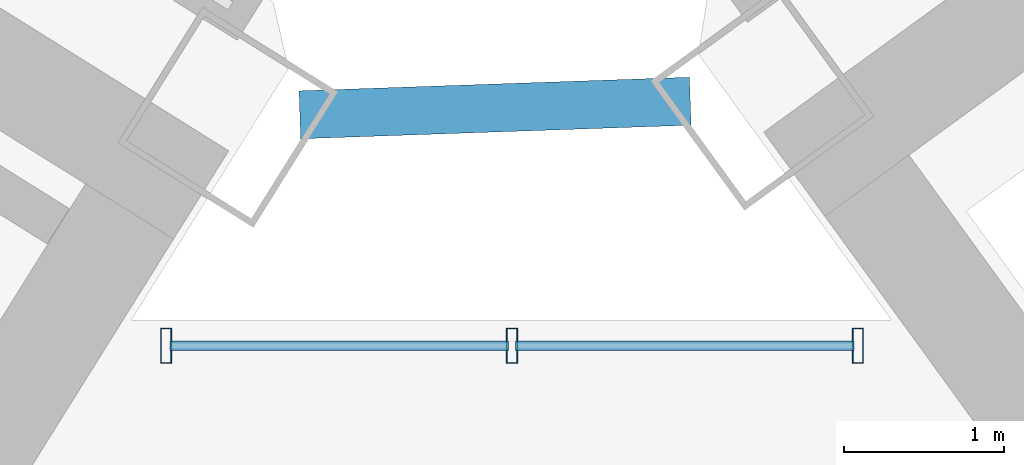
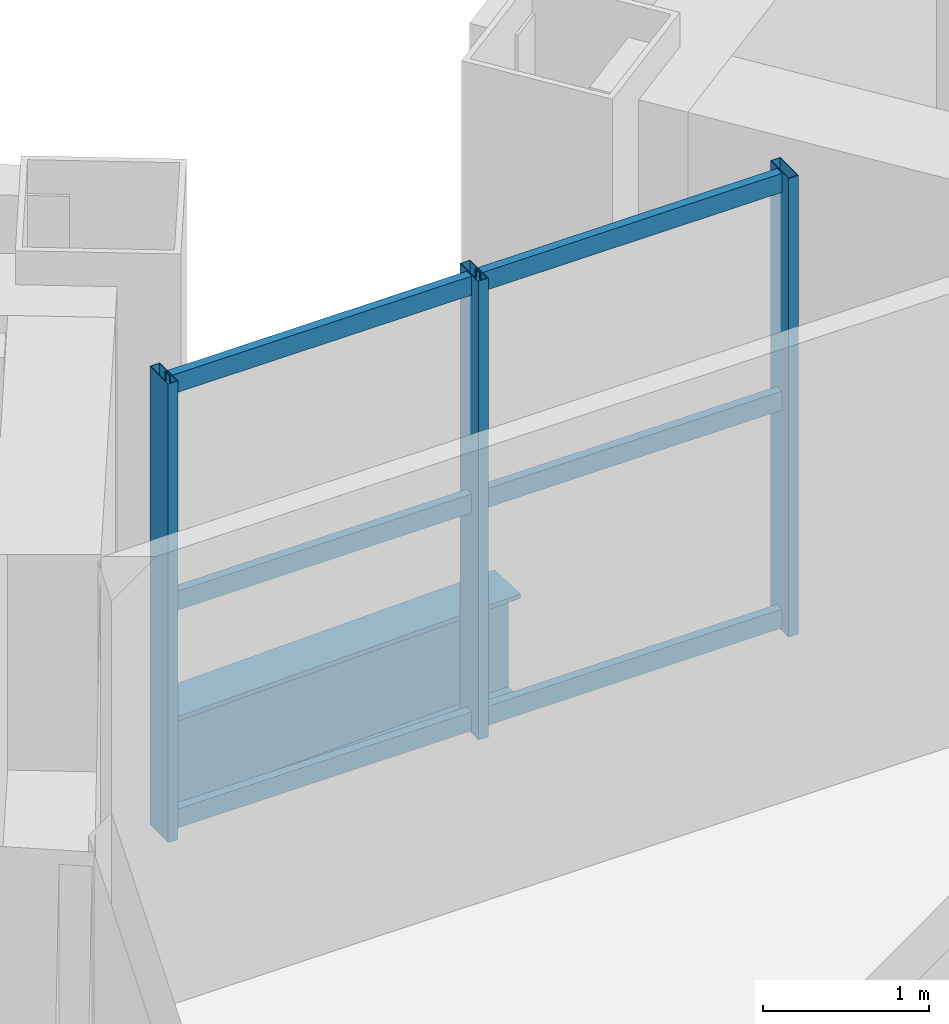
# One storey, part 11 of 28: 9 members, 1 beam, 1 element without a shape of its own.
"""IFC4 building model written with IfcOpenShell, lengths in metres."""

import ifcopenshell
import ifcopenshell.guid

model = None  # the IFC model being written
_history = None  # IfcOwnerHistory: only IFC2X3 demands one
_inside = {}  # id of a spatial element -> (the spatial element, [elements in it])
_under = {}  # id of a project, library or spatial element -> (it, [spatial elements below it])
_declared = {}  # id of a project -> (the project, [libraries it declares])
_typed = {}  # id of a type object -> (the type object, [elements of that type])
_made_of = {}  # id of a material, layer set ... -> (it, [elements and type objects made of it])


def new_model(schema):
    """Start an empty IFC model of exactly this schema.

    Asked for "IFC4X3", IfcOpenShell would pick the latest addendum, in which some entities
    have other attributes; the version numbers below select the first issue.
    IFC2X3 requires an IfcOwnerHistory on every rooted entity: one is made here for all.
    """
    global model, _history
    if schema == "IFC4X3":
        model = ifcopenshell.file(schema_version=(4, 3, 0, 0))
    else:
        model = ifcopenshell.file(schema=schema)
    _inside.clear()
    _under.clear()
    _declared.clear()
    _typed.clear()
    _made_of.clear()
    _history = None
    if model.schema == "IFC2X3":
        org = make("IfcOrganization", Name="unknown")
        user = make(
            "IfcPersonAndOrganization",
            ThePerson=make("IfcPerson", FamilyName="unknown"),
            TheOrganization=org,
        )
        app = make(
            "IfcApplication",
            ApplicationDeveloper=org,
            Version="unknown",
            ApplicationFullName="unknown",
            ApplicationIdentifier="unknown",
        )
        _history = make(
            "IfcOwnerHistory",
            OwningUser=user,
            OwningApplication=app,
            ChangeAction="ADDED",
            CreationDate=0,
        )
    return model


def make(cls, **values):
    """One entity of the class cls with the attributes given. An attribute that is None is left unset."""
    return model.create_entity(
        cls, **{name: value for name, value in values.items() if value is not None}
    )


def rooted(cls, **values):
    """An entity with a GlobalId (a new one), such as an element, a storey or a relation."""
    return make(cls, GlobalId=ifcopenshell.guid.new(), OwnerHistory=_history, **values)


def si_unit(unit_type, name, prefix=None):
    """IfcSIUnit, for example si_unit("LENGTHUNIT", "METRE", prefix="MILLI")."""
    return make("IfcSIUnit", UnitType=unit_type, Prefix=prefix, Name=name)


def assignment(units):
    """IfcUnitAssignment: the units of a project."""
    return None if units is None else make("IfcUnitAssignment", Units=units)


def point(xyz):
    """IfcCartesianPoint."""
    return None if xyz is None else make("IfcCartesianPoint", Coordinates=xyz)


def direction(xyz):
    """IfcDirection."""
    return None if xyz is None else make("IfcDirection", DirectionRatios=xyz)


def frame(location, z_axis=None, x_axis=None):
    """IfcAxis2Placement3D, a coordinate frame: its origin and axes. An axis left out is left unset."""
    return make(
        "IfcAxis2Placement3D",
        Location=point(location),
        Axis=direction(z_axis),
        RefDirection=direction(x_axis),
    )


def frame_2d(location, x_axis=None):
    """IfcAxis2Placement2D, a coordinate frame in the plane: its origin and x axis."""
    return make(
        "IfcAxis2Placement2D", Location=point(location), RefDirection=direction(x_axis)
    )


def origin():
    """The frame at (0, 0, 0) with its axes left unset."""
    return frame((0.0, 0.0, 0.0))


def origin_2d():
    """The frame at (0, 0) in the plane with its x axis left unset."""
    return frame_2d((0.0, 0.0))


def place(relative_to, where):
    """IfcLocalPlacement: puts the frame where relative to a parent placement (None: the world)."""
    return make(
        "IfcLocalPlacement", PlacementRelTo=relative_to, RelativePlacement=where
    )


def context(
    kind, dimensions, precision=None, world=None, true_north=None, identifier=None
):
    """IfcGeometricRepresentationContext, for example the 3D "Model" context."""
    return make(
        "IfcGeometricRepresentationContext",
        ContextIdentifier=identifier,
        ContextType=kind,
        CoordinateSpaceDimension=dimensions,
        Precision=precision,
        WorldCoordinateSystem=world,
        TrueNorth=true_north,
    )


def subcontext(parent, identifier, kind, view, scale=None):
    """IfcGeometricRepresentationSubContext, for example "Body" below "Model"."""
    return make(
        "IfcGeometricRepresentationSubContext",
        ContextIdentifier=identifier,
        ContextType=kind,
        ParentContext=parent,
        TargetScale=scale,
        TargetView=view,
    )


def project(units=None, contexts=None):
    """IfcProject with its units and contexts."""
    return rooted(
        "IfcProject",
        Name="project",
        RepresentationContexts=contexts,
        UnitsInContext=assignment(units),
    )


def spatial(cls, under=None, at=None, **own):
    """A site, building, storey or space (cls), placed at a placement, below another one or the project."""
    s = rooted(cls, ObjectPlacement=at, **own)
    if under is not None:
        _under.setdefault(under.id(), (under, []))[1].append(s)
    return s


def profile(cls, at=None, kind="AREA", **sizes):
    """A parametric profile (cls). Its sizes go by their IFC names, for example OverallWidth=200.0."""
    return make(cls, ProfileType=kind, Position=at, **sizes)


def hollow_rectangle(**sizes):
    """IfcRectangleHollowProfileDef."""
    return profile("IfcRectangleHollowProfileDef", **sizes)


def i_section(**sizes):
    """IfcIShapeProfileDef."""
    return profile("IfcIShapeProfileDef", **sizes)


def extrude(swept, where, along, depth):
    """IfcExtrudedAreaSolid: the profile swept, set in the frame where, extruded along a direction by depth."""
    return make(
        "IfcExtrudedAreaSolid",
        SweptArea=swept,
        Position=where,
        ExtrudedDirection=direction(along),
        Depth=depth,
    )


def shape(context_of_items, identifier, shape_type, items):
    """IfcShapeRepresentation: the items that make up one representation, for example the "Body"."""
    return make(
        "IfcShapeRepresentation",
        ContextOfItems=context_of_items,
        RepresentationIdentifier=identifier,
        RepresentationType=shape_type,
        Items=items,
    )


def source(mapping_origin, context_of_items, identifier, shape_type, items):
    """IfcRepresentationMap: a shape defined once, which mapped items show again and again."""
    return make(
        "IfcRepresentationMap",
        MappingOrigin=mapping_origin,
        MappedRepresentation=shape(context_of_items, identifier, shape_type, items),
    )


def transform(
    local_origin,
    x_axis=None,
    y_axis=None,
    z_axis=None,
    scale=None,
    scale2=None,
    scale3=None,
    uniform=True,
):
    """IfcCartesianTransformationOperator3D, or its non-uniform kind. x_axis, y_axis, z_axis: its Axis1, 2, 3."""
    if uniform:
        return make(
            "IfcCartesianTransformationOperator3D",
            Axis1=direction(x_axis),
            Axis2=direction(y_axis),
            LocalOrigin=point(local_origin),
            Scale=scale,
            Axis3=direction(z_axis),
        )
    return make(
        "IfcCartesianTransformationOperator3DnonUniform",
        Axis1=direction(x_axis),
        Axis2=direction(y_axis),
        LocalOrigin=point(local_origin),
        Scale=scale,
        Axis3=direction(z_axis),
        Scale2=scale2,
        Scale3=scale3,
    )


def mapped(mapping_source, mapping_target):
    """IfcMappedItem: shows the shape of a source again, moved by a transform."""
    return make(
        "IfcMappedItem", MappingSource=mapping_source, MappingTarget=mapping_target
    )


def material(Name=None, Category=None):
    """IfcMaterial."""
    return make("IfcMaterial", Name=Name, Category=Category)


def material_profile(
    of_material, cross_section, Name=None, Category=None, Priority=None
):
    """IfcMaterialProfile: a cross section and its material."""
    return make(
        "IfcMaterialProfile",
        Name=Name,
        Material=of_material,
        Profile=cross_section,
        Priority=Priority,
        Category=Category,
    )


def profile_set(profiles, Name=None, composite=None):
    """IfcMaterialProfileSet."""
    return make(
        "IfcMaterialProfileSet",
        Name=Name,
        MaterialProfiles=profiles,
        CompositeProfile=composite,
    )


def made_of(thing, what):
    """Note that an element or type object is made of a material, layer set ...; save() writes the relation."""
    if what is not None:
        _made_of.setdefault(what.id(), (what, []))[1].append(thing)
    return thing


def type_object(cls, material=None, **own):
    """A type object (cls), such as IfcWallType, which elements share."""
    return made_of(rooted(cls, **own), material)


def element(
    cls,
    number,
    at=None,
    inside=None,
    cuts=None,
    type_object=None,
    material=None,
    context=None,
    identifier="Body",
    shape_type=None,
    held_by="IfcProductDefinitionShape",
    body=None,
    shapes=None,
    **own,
):
    """One element of the class cls, such as IfcWall. Its Tag is "e" and its number.

    at: its placement. inside: the storey or other place that contains it. cuts: it is an
    opening in that element (IfcRelVoidsElement). A single representation is given by context,
    identifier, shape_type and body (its items); several are given by shapes. held_by: the class
    of the entity that holds the representations. save() writes the other relations.
    """
    e = rooted(cls, Tag="e%d" % number, ObjectPlacement=at, **own)
    if body is not None:
        shapes = [shape(context, identifier, shape_type, body)]
    if shapes is not None:
        e.Representation = make(held_by, Representations=shapes)
    if inside is not None:
        _inside.setdefault(inside.id(), (inside, []))[1].append(e)
    if cuts is not None:
        rooted(
            "IfcRelVoidsElement", RelatingBuildingElement=cuts, RelatedOpeningElement=e
        )
    if type_object is not None:
        _typed.setdefault(type_object.id(), (type_object, []))[1].append(e)
    return made_of(e, material)


def aggregate(whole, parts):
    """IfcRelAggregates: a whole, such as a stair, and the parts it consists of."""
    return rooted("IfcRelAggregates", RelatingObject=whole, RelatedObjects=parts)


def save(model, path):
    """Write the relations noted so far, then the file.

    IfcRelAggregates (storeys below a building ...), IfcRelContainedInSpatialStructure (elements
    in a storey), IfcRelDefinesByType, IfcRelAssociatesMaterial and IfcRelDeclares: one each for
    every whole, place, type object, material and project.
    """
    for whole, parts in _under.values():
        aggregate(whole, parts)
    for where, things in _inside.values():
        rooted(
            "IfcRelContainedInSpatialStructure",
            RelatedElements=things,
            RelatingStructure=where,
        )
    for kind, things in _typed.values():
        rooted("IfcRelDefinesByType", RelatedObjects=things, RelatingType=kind)
    for what, things in _made_of.values():
        rooted("IfcRelAssociatesMaterial", RelatedObjects=things, RelatingMaterial=what)
    for by, libraries in _declared.values():
        rooted("IfcRelDeclares", RelatingContext=by, RelatedDefinitions=libraries)
    model.write(path)


model = new_model("IFC4")

# Units and contexts
model_context = context("Model", 3, precision=1e-05, world=origin(), true_north=direction((0.0, 1.0)))
body_context = subcontext(model_context, "Body", "Model", "MODEL_VIEW")
ifc_project = project(units=[si_unit("LENGTHUNIT", "METRE"), si_unit("AREAUNIT", "SQUARE_METRE"), si_unit("VOLUMEUNIT", "CUBIC_METRE"), si_unit("PLANEANGLEUNIT", "RADIAN"), si_unit("MASSUNIT", "GRAM", prefix="KILO")], contexts=[model_context])

# Site, building, storey
site_placement = place(None, origin())
site = spatial("IfcSite", under=ifc_project, at=site_placement, CompositionType="ELEMENT")
building_placement = place(site_placement, origin())
building = spatial("IfcBuilding", under=site, at=building_placement, Name="Tlacorven Tower", CompositionType="ELEMENT")
storey_placement = place(building_placement, frame((0.0, 0.0, 42.0)))
storey = spatial("IfcBuildingStorey", under=building, at=storey_placement, Name="L10", CompositionType="ELEMENT", Elevation=42.0)

# Beam
ifc_material_1 = material(Name="Steel S355J2", Category="steel")
ifc_material_profile_1 = material_profile(ifc_material_1, i_section(OverallWidth=0.300048828125, OverallDepth=0.800048828125, WebThickness=0.017578125, FlangeThickness=0.032958984375, at=origin_2d()), Name="HEB 800")
ifc_profile_set_1 = profile_set([ifc_material_profile_1], Name="Steel S355J2")
beam_type = type_object("IfcBeamType", Name="BM-POD-800", PredefinedType="BEAM", material=ifc_profile_set_1)
shared_shape_1 = source(origin(), body_context, "Body", "SweptSolid", [
    extrude(i_section(OverallWidth=0.300048828125, OverallDepth=0.800048828125, WebThickness=0.017578125, FlangeThickness=0.032958984375, at=origin_2d()), origin(), (0.0, 0.0, 1.0), 2.44287109375),
])
beam_placement = place(storey_placement, frame((41.232666015625, 24.484130859375, -0.64990234375), z_axis=(0.999391550767, 0.034878765122, 0.0), x_axis=(-0.034878765122, 0.999391550767, 0.0)))
element("IfcBeam", 1, at=beam_placement, inside=storey, type_object=beam_type, Name="L10 Knuckle Link Girder 1", PredefinedType="BEAM", context=body_context, shape_type="MappedRepresentation", body=[
    mapped(shared_shape_1, transform((0.0, 0.0, 0.0), scale=1.0)),
])

# Curtain wall, members
ifc_material_2 = material(Name="Dark solar low-E double glazing in aluminium frame", Category="aluminium")
curtain_wall_type = type_object("IfcCurtainWallType", Name="CW-TWR-LOW", PredefinedType="USERDEFINED", material=ifc_material_2)
curtain_wall_placement = place(storey_placement, origin())
curtain_wall = element("IfcCurtainWall", 2, at=curtain_wall_placement, inside=storey, type_object=curtain_wall_type, Name="L10 CW-TWR-LOW Curtain Wall 56", ObjectType="UNITISED CURTAIN WALL", PredefinedType="USERDEFINED")
ifc_material_3 = material(Name="Aluminium 6063-T6 anodised", Category="aluminium")
ifc_material_profile_2 = material_profile(ifc_material_3, hollow_rectangle(XDim=0.070068359375, YDim=0.219970703125, WallThickness=0.0048828125, at=origin_2d()), Name="ALU MULLION 70X220")
ifc_profile_set_2 = profile_set([ifc_material_profile_2], Name="Aluminium 6063-T6 anodised")
member_type_1 = type_object("IfcMemberType", Name="CWM-01", PredefinedType="MULLION", material=ifc_profile_set_2)
shared_shape_2 = source(origin(), body_context, "Body", "SweptSolid", [
    extrude(hollow_rectangle(XDim=0.070068359375, YDim=0.219970703125, WallThickness=0.0048828125, at=origin_2d()), origin(), (0.0, 0.0, 1.0), 3.380126953125),
])
member_1_placement = place(storey_placement, frame((40.396728515625, 23.0400390625, -0.02001953125), z_axis=(0.0, 0.0, 1.0), x_axis=(1.0, 0.0, 0.0)))
member_1 = element("IfcMember", 3, at=member_1_placement, type_object=member_type_1, Name="CW-L10-056 Mullion 1", PredefinedType="MULLION", context=body_context, shape_type="MappedRepresentation", body=[
    mapped(shared_shape_2, transform((0.0, 0.0, 0.0), scale=1.0)),
])
member_2_placement = place(storey_placement, frame((42.559326171875, 23.0400390625, -0.02001953125), z_axis=(0.0, 0.0, 1.0), x_axis=(1.0, 0.0, 0.0)))
member_2 = element("IfcMember", 4, at=member_2_placement, type_object=member_type_1, Name="CW-L10-056 Mullion 2", PredefinedType="MULLION", context=body_context, shape_type="MappedRepresentation", body=[
    mapped(shared_shape_2, transform((0.0, 0.0, 0.0), scale=1.0)),
])
member_3_placement = place(storey_placement, frame((44.721923828125, 23.0400390625, -0.02001953125), z_axis=(0.0, 0.0, 1.0), x_axis=(1.0, 0.0, 0.0)))
member_3 = element("IfcMember", 5, at=member_3_placement, type_object=member_type_1, Name="CW-L10-056 Mullion 3", PredefinedType="MULLION", context=body_context, shape_type="MappedRepresentation", body=[
    mapped(shared_shape_2, transform((0.0, 0.0, 0.0), scale=1.0)),
])
ifc_material_profile_3 = material_profile(ifc_material_3, hollow_rectangle(XDim=0.06005859375, YDim=0.139892578125, WallThickness=0.00390625, at=origin_2d()), Name="ALU TRANSOM 60X140")
ifc_profile_set_3 = profile_set([ifc_material_profile_3], Name="Aluminium 6063-T6 anodised")
member_type_2 = type_object("IfcMemberType", Name="CWT-02", PredefinedType="USERDEFINED", material=ifc_profile_set_3)
shared_shape_3 = source(origin(), body_context, "Body", "SweptSolid", [
    extrude(hollow_rectangle(XDim=0.06005859375, YDim=0.139892578125, WallThickness=0.00390625, at=origin_2d()), origin(), (0.0, 0.0, 1.0), 2.116455078125),
])
member_4_placement = place(storey_placement, frame((40.419921875, 23.0400390625, 0.070068359375), z_axis=(1.0, 0.0, 0.0), x_axis=(0.0, 1.0, 0.0)))
member_4 = element("IfcMember", 6, at=member_4_placement, type_object=member_type_2, Name="CW-L10-056 Transom 1", ObjectType="TRANSOM", PredefinedType="USERDEFINED", context=body_context, shape_type="MappedRepresentation", body=[
    mapped(shared_shape_3, transform((0.0, 0.0, 0.0), scale=1.0)),
])
member_5_placement = place(storey_placement, frame((40.419921875, 23.0400390625, 1.675048828125), z_axis=(1.0, 0.0, 0.0), x_axis=(0.0, 1.0, 0.0)))
member_5 = element("IfcMember", 7, at=member_5_placement, type_object=member_type_2, Name="CW-L10-056 Transom 2", ObjectType="TRANSOM", PredefinedType="USERDEFINED", context=body_context, shape_type="MappedRepresentation", body=[
    mapped(shared_shape_3, transform((0.0, 0.0, 0.0), scale=1.0)),
])
member_6_placement = place(storey_placement, frame((40.419921875, 23.0400390625, 3.280029296875), z_axis=(1.0, 0.0, 0.0), x_axis=(0.0, 1.0, 0.0)))
member_6 = element("IfcMember", 8, at=member_6_placement, type_object=member_type_2, Name="CW-L10-056 Transom 3", ObjectType="TRANSOM", PredefinedType="USERDEFINED", context=body_context, shape_type="MappedRepresentation", body=[
    mapped(shared_shape_3, transform((0.0, 0.0, 0.0), scale=1.0)),
])
shared_shape_4 = source(origin(), body_context, "Body", "SweptSolid", [
    extrude(hollow_rectangle(XDim=0.06005859375, YDim=0.139892578125, WallThickness=0.00390625, at=origin_2d()), origin(), (0.0, 0.0, 1.0), 2.11669921875),
])
member_7_placement = place(storey_placement, frame((42.582275390625, 23.0400390625, 0.070068359375), z_axis=(1.0, 0.0, 0.0), x_axis=(0.0, 1.0, 0.0)))
member_7 = element("IfcMember", 9, at=member_7_placement, type_object=member_type_2, Name="CW-L10-056 Transom 4", ObjectType="TRANSOM", PredefinedType="USERDEFINED", context=body_context, shape_type="MappedRepresentation", body=[
    mapped(shared_shape_4, transform((0.0, 0.0, 0.0), scale=1.0)),
])
member_8_placement = place(storey_placement, frame((42.582275390625, 23.0400390625, 1.675048828125), z_axis=(1.0, 0.0, 0.0), x_axis=(0.0, 1.0, 0.0)))
member_8 = element("IfcMember", 10, at=member_8_placement, type_object=member_type_2, Name="CW-L10-056 Transom 5", ObjectType="TRANSOM", PredefinedType="USERDEFINED", context=body_context, shape_type="MappedRepresentation", body=[
    mapped(shared_shape_4, transform((0.0, 0.0, 0.0), scale=1.0)),
])
member_9_placement = place(storey_placement, frame((42.582275390625, 23.0400390625, 3.280029296875), z_axis=(1.0, 0.0, 0.0), x_axis=(0.0, 1.0, 0.0)))
member_9 = element("IfcMember", 11, at=member_9_placement, type_object=member_type_2, Name="CW-L10-056 Transom 6", ObjectType="TRANSOM", PredefinedType="USERDEFINED", context=body_context, shape_type="MappedRepresentation", body=[
    mapped(shared_shape_4, transform((0.0, 0.0, 0.0), scale=1.0)),
])
aggregate(curtain_wall, [member_1, member_2, member_3, member_4, member_5, member_6, member_7, member_8, member_9])

save(model, "model.ifc")
